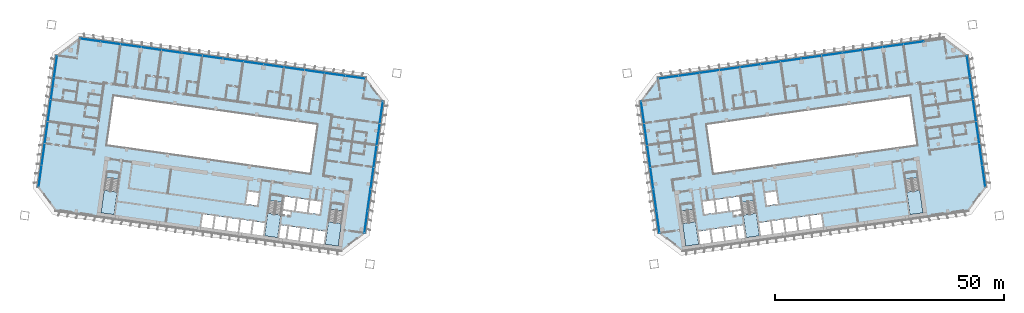
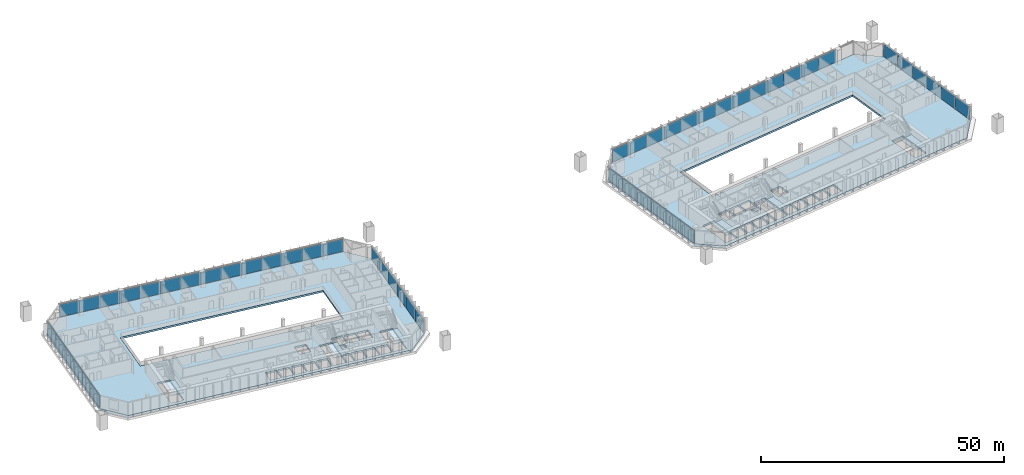
# One storey, part 12 of 25: 51 plates, 8 slabs, 12 elements without a shape of their own.
"""IFC4 building model written with IfcOpenShell, lengths in metres."""

from ifc_helpers import new_model, si_unit, direction, frame, origin, origin_2d, place, context, subcontext, project, spatial, polyline, rectangle, outline, extrude, material, layer, layer_set, type_object, element, aggregate, save


model = new_model("IFC4")

# Units and contexts
model_context = context("Model", 3, precision=1e-05, world=origin(), true_north=direction((0.0, 1.0)))
body_context = subcontext(model_context, "Body", "Model", "MODEL_VIEW")
ifc_project = project(units=[si_unit("LENGTHUNIT", "METRE"), si_unit("AREAUNIT", "SQUARE_METRE"), si_unit("VOLUMEUNIT", "CUBIC_METRE"), si_unit("PLANEANGLEUNIT", "RADIAN"), si_unit("MASSUNIT", "GRAM", prefix="KILO")], contexts=[model_context])

# Site, building, storey
site_placement = place(None, origin())
site = spatial("IfcSite", under=ifc_project, at=site_placement, CompositionType="ELEMENT")
building_placement = place(site_placement, origin())
building = spatial("IfcBuilding", under=site, at=building_placement, Name="Mirante Cascada Hotel Towers", CompositionType="ELEMENT")
storey_placement = place(building_placement, frame((0.0, 0.0, 69.9)))
storey = spatial("IfcBuildingStorey", under=building, at=storey_placement, Name="L14", CompositionType="ELEMENT", Elevation=69.9)

# Curtain wall, plates
ifc_material_1 = material(Name="Aluminium mullion and transom frame with clear laminated glass", Category="aluminium")
curtain_wall_type_1 = type_object("IfcCurtainWallType", Name="Ribbon curtain wall ECW1", PredefinedType="NOTDEFINED", material=ifc_material_1)
curtain_wall_1_placement = place(storey_placement, origin())
curtain_wall_1 = element("IfcCurtainWall", 1, at=curtain_wall_1_placement, inside=storey, type_object=curtain_wall_type_1, Name="Front ribbon wall T1 L14", PredefinedType="NOTDEFINED")
ifc_material_2 = material(Name="Clear laminated glass", Category="glass")
ifc_layer_1 = layer(ifc_material_2, 0.036)
ifc_layer_set_1 = layer_set([ifc_layer_1], Name="ECW1 glass panel 36")
plate_type_1 = type_object("IfcPlateType", Name="ECW1 glass panel 36", PredefinedType="CURTAIN_PANEL", material=ifc_layer_set_1)
plate_1_placement = place(storey_placement, frame((-91.9184, 25.7373, 0.1), z_axis=(0.0, 0.0, 1.0), x_axis=(0.9902681, -0.1391731, 0.0)))
plate_1 = element("IfcPlate", 2, at=plate_1_placement, type_object=plate_type_1, Name="ECW1 panel 1", PredefinedType="CURTAIN_PANEL", context=body_context, shape_type="SweptSolid", body=[
    extrude(rectangle(XDim=4.3936, YDim=0.036, at=origin_2d()), origin(), (0.0, 0.0, 1.0), 3.15),
])
plate_2_placement = place(storey_placement, frame((-87.487, 25.1145, 0.1), z_axis=(0.0, 0.0, 1.0), x_axis=(0.9902681, -0.1391731, 0.0)))
plate_2 = element("IfcPlate", 3, at=plate_2_placement, type_object=plate_type_1, Name="ECW1 panel 2", PredefinedType="CURTAIN_PANEL", context=body_context, shape_type="SweptSolid", body=[
    extrude(rectangle(XDim=4.4261, YDim=0.036, at=origin_2d()), origin(), (0.0, 0.0, 1.0), 3.15),
])
plate_3_placement = place(storey_placement, frame((-83.0396, 24.4895, 0.1), z_axis=(0.0, 0.0, 1.0), x_axis=(0.9902681, -0.1391731, 0.0)))
plate_3 = element("IfcPlate", 4, at=plate_3_placement, type_object=plate_type_1, Name="ECW1 panel 3", PredefinedType="CURTAIN_PANEL", context=body_context, shape_type="SweptSolid", body=[
    extrude(rectangle(XDim=4.4261, YDim=0.036, at=origin_2d()), origin(), (0.0, 0.0, 1.0), 3.15),
])
plate_4_placement = place(storey_placement, frame((-78.5922, 23.8644, 0.1), z_axis=(0.0, 0.0, 1.0), x_axis=(0.9902681, -0.1391731, 0.0)))
plate_4 = element("IfcPlate", 5, at=plate_4_placement, type_object=plate_type_1, Name="ECW1 panel 4", PredefinedType="CURTAIN_PANEL", context=body_context, shape_type="SweptSolid", body=[
    extrude(rectangle(XDim=4.4261, YDim=0.036, at=origin_2d()), origin(), (0.0, 0.0, 1.0), 3.15),
])
plate_5_placement = place(storey_placement, frame((-74.1448, 23.2394, 0.1), z_axis=(0.0, 0.0, 1.0), x_axis=(0.9902681, -0.1391731, 0.0)))
plate_5 = element("IfcPlate", 6, at=plate_5_placement, type_object=plate_type_1, Name="ECW1 panel 5", PredefinedType="CURTAIN_PANEL", context=body_context, shape_type="SweptSolid", body=[
    extrude(rectangle(XDim=4.4261, YDim=0.036, at=origin_2d()), origin(), (0.0, 0.0, 1.0), 3.15),
])
plate_6_placement = place(storey_placement, frame((-69.6974, 22.6144, 0.1), z_axis=(0.0, 0.0, 1.0), x_axis=(0.9902681, -0.1391731, 0.0)))
plate_6 = element("IfcPlate", 7, at=plate_6_placement, type_object=plate_type_1, Name="ECW1 panel 6", PredefinedType="CURTAIN_PANEL", context=body_context, shape_type="SweptSolid", body=[
    extrude(rectangle(XDim=4.4261, YDim=0.036, at=origin_2d()), origin(), (0.0, 0.0, 1.0), 3.15),
])
plate_7_placement = place(storey_placement, frame((-65.2499, 21.9893, 0.1), z_axis=(0.0, 0.0, 1.0), x_axis=(0.9902681, -0.1391731, 0.0)))
plate_7 = element("IfcPlate", 8, at=plate_7_placement, type_object=plate_type_1, Name="ECW1 panel 7", PredefinedType="CURTAIN_PANEL", context=body_context, shape_type="SweptSolid", body=[
    extrude(rectangle(XDim=4.4261, YDim=0.036, at=origin_2d()), origin(), (0.0, 0.0, 1.0), 3.15),
])
plate_8_placement = place(storey_placement, frame((-60.8025, 21.3643, 0.1), z_axis=(0.0, 0.0, 1.0), x_axis=(0.9902681, -0.1391731, 0.0)))
plate_8 = element("IfcPlate", 9, at=plate_8_placement, type_object=plate_type_1, Name="ECW1 panel 8", PredefinedType="CURTAIN_PANEL", context=body_context, shape_type="SweptSolid", body=[
    extrude(rectangle(XDim=4.4261, YDim=0.036, at=origin_2d()), origin(), (0.0, 0.0, 1.0), 3.15),
])
plate_9_placement = place(storey_placement, frame((-56.3551, 20.7392, 0.1), z_axis=(0.0, 0.0, 1.0), x_axis=(0.9902681, -0.1391731, 0.0)))
plate_9 = element("IfcPlate", 10, at=plate_9_placement, type_object=plate_type_1, Name="ECW1 panel 9", PredefinedType="CURTAIN_PANEL", context=body_context, shape_type="SweptSolid", body=[
    extrude(rectangle(XDim=4.4261, YDim=0.036, at=origin_2d()), origin(), (0.0, 0.0, 1.0), 3.15),
])
plate_10_placement = place(storey_placement, frame((-51.9077, 20.1142, 0.1), z_axis=(0.0, 0.0, 1.0), x_axis=(0.9902681, -0.1391731, 0.0)))
plate_10 = element("IfcPlate", 11, at=plate_10_placement, type_object=plate_type_1, Name="ECW1 panel 10", PredefinedType="CURTAIN_PANEL", context=body_context, shape_type="SweptSolid", body=[
    extrude(rectangle(XDim=4.4261, YDim=0.036, at=origin_2d()), origin(), (0.0, 0.0, 1.0), 3.15),
])
plate_11_placement = place(storey_placement, frame((-47.4603, 19.4891, 0.1), z_axis=(0.0, 0.0, 1.0), x_axis=(0.9902681, -0.1391731, 0.0)))
plate_11 = element("IfcPlate", 12, at=plate_11_placement, type_object=plate_type_1, Name="ECW1 panel 11", PredefinedType="CURTAIN_PANEL", context=body_context, shape_type="SweptSolid", body=[
    extrude(rectangle(XDim=4.4261, YDim=0.036, at=origin_2d()), origin(), (0.0, 0.0, 1.0), 3.15),
])
plate_12_placement = place(storey_placement, frame((-43.0129, 18.8641, 0.1), z_axis=(0.0, 0.0, 1.0), x_axis=(0.9902681, -0.1391731, 0.0)))
plate_12 = element("IfcPlate", 13, at=plate_12_placement, type_object=plate_type_1, Name="ECW1 panel 12", PredefinedType="CURTAIN_PANEL", context=body_context, shape_type="SweptSolid", body=[
    extrude(rectangle(XDim=4.4261, YDim=0.036, at=origin_2d()), origin(), (0.0, 0.0, 1.0), 3.15),
])
plate_13_placement = place(storey_placement, frame((-38.5654, 18.239, 0.1), z_axis=(0.0, 0.0, 1.0), x_axis=(0.9902681, -0.1391731, 0.0)))
plate_13 = element("IfcPlate", 14, at=plate_13_placement, type_object=plate_type_1, Name="ECW1 panel 13", PredefinedType="CURTAIN_PANEL", context=body_context, shape_type="SweptSolid", body=[
    extrude(rectangle(XDim=4.4261, YDim=0.036, at=origin_2d()), origin(), (0.0, 0.0, 1.0), 3.15),
])
plate_14_placement = place(storey_placement, frame((-34.1341, 17.6163, 0.1), z_axis=(0.0, 0.0, 1.0), x_axis=(0.9902681, -0.1391731, 0.0)))
plate_14 = element("IfcPlate", 15, at=plate_14_placement, type_object=plate_type_1, Name="ECW1 panel 14", PredefinedType="CURTAIN_PANEL", context=body_context, shape_type="SweptSolid", body=[
    extrude(rectangle(XDim=4.3936, YDim=0.036, at=origin_2d()), origin(), (0.0, 0.0, 1.0), 3.15),
])
aggregate(curtain_wall_1, [plate_1, plate_2, plate_3, plate_4, plate_5, plate_6, plate_7, plate_8, plate_9, plate_10, plate_11, plate_12, plate_13, plate_14])

curtain_wall_2_placement = place(storey_placement, origin())
curtain_wall_2 = element("IfcCurtainWall", 16, at=curtain_wall_2_placement, inside=storey, type_object=curtain_wall_type_1, Name="Front ribbon wall T2 L14", PredefinedType="NOTDEFINED")
plate_15_placement = place(storey_placement, frame((87.487, 25.1145, 0.1), z_axis=(0.0, 0.0, 1.0), x_axis=(-0.9902681, -0.1391731, 0.0)))
plate_15 = element("IfcPlate", 17, at=plate_15_placement, type_object=plate_type_1, Name="ECW1 panel 2", PredefinedType="CURTAIN_PANEL", context=body_context, shape_type="SweptSolid", body=[
    extrude(rectangle(XDim=4.4261, YDim=0.036, at=origin_2d()), origin(), (0.0, 0.0, 1.0), 3.15),
])
plate_16_placement = place(storey_placement, frame((83.0396, 24.4895, 0.1), z_axis=(0.0, 0.0, 1.0), x_axis=(-0.9902681, -0.1391731, 0.0)))
plate_16 = element("IfcPlate", 18, at=plate_16_placement, type_object=plate_type_1, Name="ECW1 panel 3", PredefinedType="CURTAIN_PANEL", context=body_context, shape_type="SweptSolid", body=[
    extrude(rectangle(XDim=4.4261, YDim=0.036, at=origin_2d()), origin(), (0.0, 0.0, 1.0), 3.15),
])
plate_17_placement = place(storey_placement, frame((78.5922, 23.8644, 0.1), z_axis=(0.0, 0.0, 1.0), x_axis=(-0.9902681, -0.1391731, 0.0)))
plate_17 = element("IfcPlate", 19, at=plate_17_placement, type_object=plate_type_1, Name="ECW1 panel 4", PredefinedType="CURTAIN_PANEL", context=body_context, shape_type="SweptSolid", body=[
    extrude(rectangle(XDim=4.4261, YDim=0.036, at=origin_2d()), origin(), (0.0, 0.0, 1.0), 3.15),
])
plate_18_placement = place(storey_placement, frame((74.1448, 23.2394, 0.1), z_axis=(0.0, 0.0, 1.0), x_axis=(-0.9902681, -0.1391731, 0.0)))
plate_18 = element("IfcPlate", 20, at=plate_18_placement, type_object=plate_type_1, Name="ECW1 panel 5", PredefinedType="CURTAIN_PANEL", context=body_context, shape_type="SweptSolid", body=[
    extrude(rectangle(XDim=4.4261, YDim=0.036, at=origin_2d()), origin(), (0.0, 0.0, 1.0), 3.15),
])
plate_19_placement = place(storey_placement, frame((69.6974, 22.6144, 0.1), z_axis=(0.0, 0.0, 1.0), x_axis=(-0.9902681, -0.1391731, 0.0)))
plate_19 = element("IfcPlate", 21, at=plate_19_placement, type_object=plate_type_1, Name="ECW1 panel 6", PredefinedType="CURTAIN_PANEL", context=body_context, shape_type="SweptSolid", body=[
    extrude(rectangle(XDim=4.4261, YDim=0.036, at=origin_2d()), origin(), (0.0, 0.0, 1.0), 3.15),
])
plate_20_placement = place(storey_placement, frame((65.2499, 21.9893, 0.1), z_axis=(0.0, 0.0, 1.0), x_axis=(-0.9902681, -0.1391731, 0.0)))
plate_20 = element("IfcPlate", 22, at=plate_20_placement, type_object=plate_type_1, Name="ECW1 panel 7", PredefinedType="CURTAIN_PANEL", context=body_context, shape_type="SweptSolid", body=[
    extrude(rectangle(XDim=4.4261, YDim=0.036, at=origin_2d()), origin(), (0.0, 0.0, 1.0), 3.15),
])
plate_21_placement = place(storey_placement, frame((60.8025, 21.3643, 0.1), z_axis=(0.0, 0.0, 1.0), x_axis=(-0.9902681, -0.1391731, 0.0)))
plate_21 = element("IfcPlate", 23, at=plate_21_placement, type_object=plate_type_1, Name="ECW1 panel 8", PredefinedType="CURTAIN_PANEL", context=body_context, shape_type="SweptSolid", body=[
    extrude(rectangle(XDim=4.4261, YDim=0.036, at=origin_2d()), origin(), (0.0, 0.0, 1.0), 3.15),
])
plate_22_placement = place(storey_placement, frame((56.3551, 20.7392, 0.1), z_axis=(0.0, 0.0, 1.0), x_axis=(-0.9902681, -0.1391731, 0.0)))
plate_22 = element("IfcPlate", 24, at=plate_22_placement, type_object=plate_type_1, Name="ECW1 panel 9", PredefinedType="CURTAIN_PANEL", context=body_context, shape_type="SweptSolid", body=[
    extrude(rectangle(XDim=4.4261, YDim=0.036, at=origin_2d()), origin(), (0.0, 0.0, 1.0), 3.15),
])
plate_23_placement = place(storey_placement, frame((51.9077, 20.1142, 0.1), z_axis=(0.0, 0.0, 1.0), x_axis=(-0.9902681, -0.1391731, 0.0)))
plate_23 = element("IfcPlate", 25, at=plate_23_placement, type_object=plate_type_1, Name="ECW1 panel 10", PredefinedType="CURTAIN_PANEL", context=body_context, shape_type="SweptSolid", body=[
    extrude(rectangle(XDim=4.4261, YDim=0.036, at=origin_2d()), origin(), (0.0, 0.0, 1.0), 3.15),
])
plate_24_placement = place(storey_placement, frame((47.4603, 19.4891, 0.1), z_axis=(0.0, 0.0, 1.0), x_axis=(-0.9902681, -0.1391731, 0.0)))
plate_24 = element("IfcPlate", 26, at=plate_24_placement, type_object=plate_type_1, Name="ECW1 panel 11", PredefinedType="CURTAIN_PANEL", context=body_context, shape_type="SweptSolid", body=[
    extrude(rectangle(XDim=4.4261, YDim=0.036, at=origin_2d()), origin(), (0.0, 0.0, 1.0), 3.15),
])
plate_25_placement = place(storey_placement, frame((43.0129, 18.8641, 0.1), z_axis=(0.0, 0.0, 1.0), x_axis=(-0.9902681, -0.1391731, 0.0)))
plate_25 = element("IfcPlate", 27, at=plate_25_placement, type_object=plate_type_1, Name="ECW1 panel 12", PredefinedType="CURTAIN_PANEL", context=body_context, shape_type="SweptSolid", body=[
    extrude(rectangle(XDim=4.4261, YDim=0.036, at=origin_2d()), origin(), (0.0, 0.0, 1.0), 3.15),
])
plate_26_placement = place(storey_placement, frame((38.5654, 18.239, 0.1), z_axis=(0.0, 0.0, 1.0), x_axis=(-0.9902681, -0.1391731, 0.0)))
plate_26 = element("IfcPlate", 28, at=plate_26_placement, type_object=plate_type_1, Name="ECW1 panel 13", PredefinedType="CURTAIN_PANEL", context=body_context, shape_type="SweptSolid", body=[
    extrude(rectangle(XDim=4.4261, YDim=0.036, at=origin_2d()), origin(), (0.0, 0.0, 1.0), 3.15),
])
plate_27_placement = place(storey_placement, frame((34.1341, 17.6163, 0.1), z_axis=(0.0, 0.0, 1.0), x_axis=(-0.9902681, -0.1391731, 0.0)))
plate_27 = element("IfcPlate", 29, at=plate_27_placement, type_object=plate_type_1, Name="ECW1 panel 14", PredefinedType="CURTAIN_PANEL", context=body_context, shape_type="SweptSolid", body=[
    extrude(rectangle(XDim=4.3936, YDim=0.036, at=origin_2d()), origin(), (0.0, 0.0, 1.0), 3.15),
])
aggregate(curtain_wall_2, [plate_15, plate_16, plate_17, plate_18, plate_19, plate_20, plate_21, plate_22, plate_23, plate_24, plate_25, plate_26, plate_27])

ifc_material_3 = material(Name="Aluminium mullion and transom frame with clear laminated glass", Category="aluminium")
curtain_wall_type_2 = type_object("IfcCurtainWallType", Name="End ribbon curtain wall ECW2", PredefinedType="NOTDEFINED", material=ifc_material_3)
curtain_wall_3_placement = place(storey_placement, origin())
curtain_wall_3 = element("IfcCurtainWall", 30, at=curtain_wall_3_placement, inside=storey, type_object=curtain_wall_type_2, Name="Inner end wall T1 L14", PredefinedType="NOTDEFINED")
ifc_material_4 = material(Name="Clear laminated glass", Category="glass")
ifc_layer_2 = layer(ifc_material_4, 0.034)
ifc_layer_set_2 = layer_set([ifc_layer_2], Name="ECW2 glass panel 34")
plate_type_2 = type_object("IfcPlateType", Name="ECW2 glass panel 34", PredefinedType="CURTAIN_PANEL", material=ifc_layer_set_2)
plate_28_placement = place(storey_placement, frame((-28.4763, 9.9193, 0.1), z_axis=(0.0, 0.0, 1.0), x_axis=(-0.1391731, -0.9902681, 0.0)))
plate_28 = element("IfcPlate", 31, at=plate_28_placement, type_object=plate_type_2, Name="ECW2 panel 1", PredefinedType="CURTAIN_PANEL", context=body_context, shape_type="SweptSolid", body=[
    extrude(rectangle(XDim=4.7151, YDim=0.034, at=origin_2d()), origin(), (0.0, 0.0, 1.0), 3.15),
])
plate_29_placement = place(storey_placement, frame((-29.1439, 5.1696, 0.1), z_axis=(0.0, 0.0, 1.0), x_axis=(-0.1391731, -0.9902681, 0.0)))
plate_29 = element("IfcPlate", 32, at=plate_29_placement, type_object=plate_type_2, Name="ECW2 panel 2", PredefinedType="CURTAIN_PANEL", context=body_context, shape_type="SweptSolid", body=[
    extrude(rectangle(XDim=4.7476, YDim=0.034, at=origin_2d()), origin(), (0.0, 0.0, 1.0), 3.15),
])
plate_30_placement = place(storey_placement, frame((-29.8136, 0.4038, 0.1), z_axis=(0.0, 0.0, 1.0), x_axis=(-0.1391731, -0.9902681, 0.0)))
plate_30 = element("IfcPlate", 33, at=plate_30_placement, type_object=plate_type_2, Name="ECW2 panel 3", PredefinedType="CURTAIN_PANEL", context=body_context, shape_type="SweptSolid", body=[
    extrude(rectangle(XDim=4.7476, YDim=0.034, at=origin_2d()), origin(), (0.0, 0.0, 1.0), 3.15),
])
plate_31_placement = place(storey_placement, frame((-30.4834, -4.362, 0.1), z_axis=(0.0, 0.0, 1.0), x_axis=(-0.1391731, -0.9902681, 0.0)))
plate_31 = element("IfcPlate", 34, at=plate_31_placement, type_object=plate_type_2, Name="ECW2 panel 4", PredefinedType="CURTAIN_PANEL", context=body_context, shape_type="SweptSolid", body=[
    extrude(rectangle(XDim=4.7476, YDim=0.034, at=origin_2d()), origin(), (0.0, 0.0, 1.0), 3.15),
])
plate_32_placement = place(storey_placement, frame((-31.1532, -9.1278, 0.1), z_axis=(0.0, 0.0, 1.0), x_axis=(-0.1391731, -0.9902681, 0.0)))
plate_32 = element("IfcPlate", 35, at=plate_32_placement, type_object=plate_type_2, Name="ECW2 panel 5", PredefinedType="CURTAIN_PANEL", context=body_context, shape_type="SweptSolid", body=[
    extrude(rectangle(XDim=4.7476, YDim=0.034, at=origin_2d()), origin(), (0.0, 0.0, 1.0), 3.15),
])
plate_33_placement = place(storey_placement, frame((-31.8207, -13.8775, 0.1), z_axis=(0.0, 0.0, 1.0), x_axis=(-0.1391731, -0.9902681, 0.0)))
plate_33 = element("IfcPlate", 36, at=plate_33_placement, type_object=plate_type_2, Name="ECW2 panel 6", PredefinedType="CURTAIN_PANEL", context=body_context, shape_type="SweptSolid", body=[
    extrude(rectangle(XDim=4.7151, YDim=0.034, at=origin_2d()), origin(), (0.0, 0.0, 1.0), 3.15),
])
aggregate(curtain_wall_3, [plate_28, plate_29, plate_30, plate_31, plate_32, plate_33])

curtain_wall_4_placement = place(storey_placement, origin())
curtain_wall_4 = element("IfcCurtainWall", 37, at=curtain_wall_4_placement, inside=storey, type_object=curtain_wall_type_2, Name="Outer end wall T1 L14", PredefinedType="NOTDEFINED")
plate_34_placement = place(storey_placement, frame((-102.823, -3.8988, 0.1), z_axis=(0.0, 0.0, 1.0), x_axis=(0.1391731, 0.9902681, 0.0)))
plate_34 = element("IfcPlate", 38, at=plate_34_placement, type_object=plate_type_2, Name="ECW2 panel 1", PredefinedType="CURTAIN_PANEL", context=body_context, shape_type="SweptSolid", body=[
    extrude(rectangle(XDim=4.7151, YDim=0.034, at=origin_2d()), origin(), (0.0, 0.0, 1.0), 3.15),
])
plate_35_placement = place(storey_placement, frame((-102.1554, 0.8509, 0.1), z_axis=(0.0, 0.0, 1.0), x_axis=(0.1391731, 0.9902681, 0.0)))
plate_35 = element("IfcPlate", 39, at=plate_35_placement, type_object=plate_type_2, Name="ECW2 panel 2", PredefinedType="CURTAIN_PANEL", context=body_context, shape_type="SweptSolid", body=[
    extrude(rectangle(XDim=4.7476, YDim=0.034, at=origin_2d()), origin(), (0.0, 0.0, 1.0), 3.15),
])
plate_36_placement = place(storey_placement, frame((-101.4857, 5.6167, 0.1), z_axis=(0.0, 0.0, 1.0), x_axis=(0.1391731, 0.9902681, 0.0)))
plate_36 = element("IfcPlate", 40, at=plate_36_placement, type_object=plate_type_2, Name="ECW2 panel 3", PredefinedType="CURTAIN_PANEL", context=body_context, shape_type="SweptSolid", body=[
    extrude(rectangle(XDim=4.7476, YDim=0.034, at=origin_2d()), origin(), (0.0, 0.0, 1.0), 3.15),
])
plate_37_placement = place(storey_placement, frame((-100.8159, 10.3825, 0.1), z_axis=(0.0, 0.0, 1.0), x_axis=(0.1391731, 0.9902681, 0.0)))
plate_37 = element("IfcPlate", 41, at=plate_37_placement, type_object=plate_type_2, Name="ECW2 panel 4", PredefinedType="CURTAIN_PANEL", context=body_context, shape_type="SweptSolid", body=[
    extrude(rectangle(XDim=4.7476, YDim=0.034, at=origin_2d()), origin(), (0.0, 0.0, 1.0), 3.15),
])
plate_38_placement = place(storey_placement, frame((-100.1461, 15.1483, 0.1), z_axis=(0.0, 0.0, 1.0), x_axis=(0.1391731, 0.9902681, 0.0)))
plate_38 = element("IfcPlate", 42, at=plate_38_placement, type_object=plate_type_2, Name="ECW2 panel 5", PredefinedType="CURTAIN_PANEL", context=body_context, shape_type="SweptSolid", body=[
    extrude(rectangle(XDim=4.7476, YDim=0.034, at=origin_2d()), origin(), (0.0, 0.0, 1.0), 3.15),
])
plate_39_placement = place(storey_placement, frame((-99.4786, 19.898, 0.1), z_axis=(0.0, 0.0, 1.0), x_axis=(0.1391731, 0.9902681, 0.0)))
plate_39 = element("IfcPlate", 43, at=plate_39_placement, type_object=plate_type_2, Name="ECW2 panel 6", PredefinedType="CURTAIN_PANEL", context=body_context, shape_type="SweptSolid", body=[
    extrude(rectangle(XDim=4.7151, YDim=0.034, at=origin_2d()), origin(), (0.0, 0.0, 1.0), 3.15),
])
aggregate(curtain_wall_4, [plate_34, plate_35, plate_36, plate_37, plate_38, plate_39])

curtain_wall_5_placement = place(storey_placement, origin())
curtain_wall_5 = element("IfcCurtainWall", 44, at=curtain_wall_5_placement, inside=storey, type_object=curtain_wall_type_2, Name="Inner end wall T2 L14", PredefinedType="NOTDEFINED")
plate_40_placement = place(storey_placement, frame((28.4763, 9.9193, 0.1), z_axis=(0.0, 0.0, 1.0), x_axis=(0.1391731, -0.9902681, 0.0)))
plate_40 = element("IfcPlate", 45, at=plate_40_placement, type_object=plate_type_2, Name="ECW2 panel 1", PredefinedType="CURTAIN_PANEL", context=body_context, shape_type="SweptSolid", body=[
    extrude(rectangle(XDim=4.7151, YDim=0.034, at=origin_2d()), origin(), (0.0, 0.0, 1.0), 3.15),
])
plate_41_placement = place(storey_placement, frame((29.1439, 5.1696, 0.1), z_axis=(0.0, 0.0, 1.0), x_axis=(0.1391731, -0.9902681, 0.0)))
plate_41 = element("IfcPlate", 46, at=plate_41_placement, type_object=plate_type_2, Name="ECW2 panel 2", PredefinedType="CURTAIN_PANEL", context=body_context, shape_type="SweptSolid", body=[
    extrude(rectangle(XDim=4.7476, YDim=0.034, at=origin_2d()), origin(), (0.0, 0.0, 1.0), 3.15),
])
plate_42_placement = place(storey_placement, frame((29.8136, 0.4038, 0.1), z_axis=(0.0, 0.0, 1.0), x_axis=(0.1391731, -0.9902681, 0.0)))
plate_42 = element("IfcPlate", 47, at=plate_42_placement, type_object=plate_type_2, Name="ECW2 panel 3", PredefinedType="CURTAIN_PANEL", context=body_context, shape_type="SweptSolid", body=[
    extrude(rectangle(XDim=4.7476, YDim=0.034, at=origin_2d()), origin(), (0.0, 0.0, 1.0), 3.15),
])
plate_43_placement = place(storey_placement, frame((30.4834, -4.362, 0.1), z_axis=(0.0, 0.0, 1.0), x_axis=(0.1391731, -0.9902681, 0.0)))
plate_43 = element("IfcPlate", 48, at=plate_43_placement, type_object=plate_type_2, Name="ECW2 panel 4", PredefinedType="CURTAIN_PANEL", context=body_context, shape_type="SweptSolid", body=[
    extrude(rectangle(XDim=4.7476, YDim=0.034, at=origin_2d()), origin(), (0.0, 0.0, 1.0), 3.15),
])
plate_44_placement = place(storey_placement, frame((31.1532, -9.1278, 0.1), z_axis=(0.0, 0.0, 1.0), x_axis=(0.1391731, -0.9902681, 0.0)))
plate_44 = element("IfcPlate", 49, at=plate_44_placement, type_object=plate_type_2, Name="ECW2 panel 5", PredefinedType="CURTAIN_PANEL", context=body_context, shape_type="SweptSolid", body=[
    extrude(rectangle(XDim=4.7476, YDim=0.034, at=origin_2d()), origin(), (0.0, 0.0, 1.0), 3.15),
])
plate_45_placement = place(storey_placement, frame((31.8207, -13.8775, 0.1), z_axis=(0.0, 0.0, 1.0), x_axis=(0.1391731, -0.9902681, 0.0)))
plate_45 = element("IfcPlate", 50, at=plate_45_placement, type_object=plate_type_2, Name="ECW2 panel 6", PredefinedType="CURTAIN_PANEL", context=body_context, shape_type="SweptSolid", body=[
    extrude(rectangle(XDim=4.7151, YDim=0.034, at=origin_2d()), origin(), (0.0, 0.0, 1.0), 3.15),
])
aggregate(curtain_wall_5, [plate_40, plate_41, plate_42, plate_43, plate_44, plate_45])

curtain_wall_6_placement = place(storey_placement, origin())
curtain_wall_6 = element("IfcCurtainWall", 51, at=curtain_wall_6_placement, inside=storey, type_object=curtain_wall_type_2, Name="Outer end wall T2 L14", PredefinedType="NOTDEFINED")
plate_46_placement = place(storey_placement, frame((102.823, -3.8988, 0.1), z_axis=(0.0, 0.0, 1.0), x_axis=(-0.1391731, 0.9902681, 0.0)))
plate_46 = element("IfcPlate", 52, at=plate_46_placement, type_object=plate_type_2, Name="ECW2 panel 1", PredefinedType="CURTAIN_PANEL", context=body_context, shape_type="SweptSolid", body=[
    extrude(rectangle(XDim=4.7151, YDim=0.034, at=origin_2d()), origin(), (0.0, 0.0, 1.0), 3.15),
])
plate_47_placement = place(storey_placement, frame((102.1554, 0.8509, 0.1), z_axis=(0.0, 0.0, 1.0), x_axis=(-0.1391731, 0.9902681, 0.0)))
plate_47 = element("IfcPlate", 53, at=plate_47_placement, type_object=plate_type_2, Name="ECW2 panel 2", PredefinedType="CURTAIN_PANEL", context=body_context, shape_type="SweptSolid", body=[
    extrude(rectangle(XDim=4.7476, YDim=0.034, at=origin_2d()), origin(), (0.0, 0.0, 1.0), 3.15),
])
plate_48_placement = place(storey_placement, frame((101.4857, 5.6167, 0.1), z_axis=(0.0, 0.0, 1.0), x_axis=(-0.1391731, 0.9902681, 0.0)))
plate_48 = element("IfcPlate", 54, at=plate_48_placement, type_object=plate_type_2, Name="ECW2 panel 3", PredefinedType="CURTAIN_PANEL", context=body_context, shape_type="SweptSolid", body=[
    extrude(rectangle(XDim=4.7476, YDim=0.034, at=origin_2d()), origin(), (0.0, 0.0, 1.0), 3.15),
])
plate_49_placement = place(storey_placement, frame((100.8159, 10.3825, 0.1), z_axis=(0.0, 0.0, 1.0), x_axis=(-0.1391731, 0.9902681, 0.0)))
plate_49 = element("IfcPlate", 55, at=plate_49_placement, type_object=plate_type_2, Name="ECW2 panel 4", PredefinedType="CURTAIN_PANEL", context=body_context, shape_type="SweptSolid", body=[
    extrude(rectangle(XDim=4.7476, YDim=0.034, at=origin_2d()), origin(), (0.0, 0.0, 1.0), 3.15),
])
plate_50_placement = place(storey_placement, frame((100.1461, 15.1483, 0.1), z_axis=(0.0, 0.0, 1.0), x_axis=(-0.1391731, 0.9902681, 0.0)))
plate_50 = element("IfcPlate", 56, at=plate_50_placement, type_object=plate_type_2, Name="ECW2 panel 5", PredefinedType="CURTAIN_PANEL", context=body_context, shape_type="SweptSolid", body=[
    extrude(rectangle(XDim=4.7476, YDim=0.034, at=origin_2d()), origin(), (0.0, 0.0, 1.0), 3.15),
])
plate_51_placement = place(storey_placement, frame((99.4786, 19.898, 0.1), z_axis=(0.0, 0.0, 1.0), x_axis=(-0.1391731, 0.9902681, 0.0)))
plate_51 = element("IfcPlate", 57, at=plate_51_placement, type_object=plate_type_2, Name="ECW2 panel 6", PredefinedType="CURTAIN_PANEL", context=body_context, shape_type="SweptSolid", body=[
    extrude(rectangle(XDim=4.7151, YDim=0.034, at=origin_2d()), origin(), (0.0, 0.0, 1.0), 3.15),
])
aggregate(curtain_wall_6, [plate_46, plate_47, plate_48, plate_49, plate_50, plate_51])

# Stair, slab
ifc_material_5 = material(Name="Concrete C35/45", Category="concrete")
stair_type = type_object("IfcStairType", Name="Exit stair half-turn 1350 concrete C35/45", PredefinedType="HALF_TURN_STAIR", material=ifc_material_5)
stair_1_placement = place(storey_placement, origin())
stair_1 = element("IfcStair", 58, at=stair_1_placement, inside=storey, type_object=stair_type, Name="L14 Exit stair A", PredefinedType="HALF_TURN_STAIR")
ifc_material_6 = material(Name="Concrete C35/45", Category="concrete")
ifc_layer_3 = layer(ifc_material_6, 0.2)
ifc_layer_set_3 = layer_set([ifc_layer_3], Name="Exit stair landing 200 concrete C35/45")
slab_type_1 = type_object("IfcSlabType", Name="Exit stair landing 200 concrete C35/45", PredefinedType="LANDING", material=ifc_layer_set_3)
slab_1_placement = place(storey_placement, frame((0.0, 0.0, 1.7)))
slab_1 = element("IfcSlab", 59, at=slab_1_placement, type_object=slab_type_1, Name="ST1-A landing 1", PredefinedType="LANDING", context=body_context, shape_type="SweptSolid", body=[
    extrude(outline(polyline([(-39.9987, -13.8659), (-40.6887, -18.7757), (-37.8665, -19.1723), (-37.1765, -14.2626), (-39.9987, -13.8659)])), origin(), (0.0, 0.0, 1.0), 0.2),
])
aggregate(stair_1, [slab_1])

stair_2_placement = place(storey_placement, origin())
stair_2 = element("IfcStair", 60, at=stair_2_placement, inside=storey, type_object=stair_type, Name="L14 Exit stair B", PredefinedType="HALF_TURN_STAIR")
slab_2_placement = place(storey_placement, frame((0.0, 0.0, 1.7)))
slab_2 = element("IfcSlab", 61, at=slab_2_placement, type_object=slab_type_1, Name="ST1-B landing 1", PredefinedType="LANDING", context=body_context, shape_type="SweptSolid", body=[
    extrude(outline(polyline([(-53.2188, -12.008), (-53.9088, -16.9177), (-51.0866, -17.3144), (-50.3965, -12.4046), (-53.2188, -12.008)])), origin(), (0.0, 0.0, 1.0), 0.2),
])
aggregate(stair_2, [slab_2])

stair_3_placement = place(storey_placement, origin())
stair_3 = element("IfcStair", 62, at=stair_3_placement, inside=storey, type_object=stair_type, Name="L14 Exit stair C", PredefinedType="HALF_TURN_STAIR")
slab_3_placement = place(storey_placement, frame((0.0, 0.0, 1.7)))
slab_3 = element("IfcSlab", 63, at=slab_3_placement, type_object=slab_type_1, Name="ST1-C landing 1", PredefinedType="LANDING", context=body_context, shape_type="SweptSolid", body=[
    extrude(outline(polyline([(-88.8685, -6.9977), (-89.5585, -11.9075), (-86.7362, -12.3041), (-86.0462, -7.3944), (-88.8685, -6.9977)])), origin(), (0.0, 0.0, 1.0), 0.2),
])
aggregate(stair_3, [slab_3])

stair_4_placement = place(storey_placement, origin())
stair_4 = element("IfcStair", 64, at=stair_4_placement, inside=storey, type_object=stair_type, Name="L14 Exit stair A", PredefinedType="HALF_TURN_STAIR")
slab_4_placement = place(storey_placement, frame((0.0, 0.0, 1.7)))
slab_4 = element("IfcSlab", 65, at=slab_4_placement, type_object=slab_type_1, Name="ST2-A landing 1", PredefinedType="LANDING", context=body_context, shape_type="SweptSolid", body=[
    extrude(outline(polyline([(37.1765, -14.2626), (37.8665, -19.1723), (40.6887, -18.7757), (39.9987, -13.8659), (37.1765, -14.2626)])), origin(), (0.0, 0.0, 1.0), 0.2),
])
aggregate(stair_4, [slab_4])

stair_5_placement = place(storey_placement, origin())
stair_5 = element("IfcStair", 66, at=stair_5_placement, inside=storey, type_object=stair_type, Name="L14 Exit stair B", PredefinedType="HALF_TURN_STAIR")
slab_5_placement = place(storey_placement, frame((0.0, 0.0, 1.7)))
slab_5 = element("IfcSlab", 67, at=slab_5_placement, type_object=slab_type_1, Name="ST2-B landing 1", PredefinedType="LANDING", context=body_context, shape_type="SweptSolid", body=[
    extrude(outline(polyline([(50.3965, -12.4046), (51.0866, -17.3144), (53.9088, -16.9177), (53.2188, -12.008), (50.3965, -12.4046)])), origin(), (0.0, 0.0, 1.0), 0.2),
])
aggregate(stair_5, [slab_5])

stair_6_placement = place(storey_placement, origin())
stair_6 = element("IfcStair", 68, at=stair_6_placement, inside=storey, type_object=stair_type, Name="L14 Exit stair C", PredefinedType="HALF_TURN_STAIR")
slab_6_placement = place(storey_placement, frame((0.0, 0.0, 1.7)))
slab_6 = element("IfcSlab", 69, at=slab_6_placement, type_object=slab_type_1, Name="ST2-C landing 1", PredefinedType="LANDING", context=body_context, shape_type="SweptSolid", body=[
    extrude(outline(polyline([(86.0462, -7.3944), (86.7362, -12.3041), (89.5585, -11.9075), (88.8685, -6.9977), (86.0462, -7.3944)])), origin(), (0.0, 0.0, 1.0), 0.2),
])
aggregate(stair_6, [slab_6])

# Slabs
ifc_material_7 = material(Name="Concrete C40/50", Category="concrete")
ifc_layer_4 = layer(ifc_material_7, 0.45)
ifc_layer_set_4 = layer_set([ifc_layer_4], Name="Post-tensioned flat plate 450 Concrete C40/50")
slab_type_2 = type_object("IfcSlabType", Name="Post-tensioned flat plate 450 Concrete C40/50", PredefinedType="FLOOR", material=ifc_layer_set_4)
slab_7_placement = place(storey_placement, frame((0.0, 0.0, -0.45)))
element("IfcSlab", 70, at=slab_7_placement, inside=storey, type_object=slab_type_2, Name="Floor T1 L14", PredefinedType="FLOOR", context=body_context, shape_type="SweptSolid", body=[
    extrude(outline(polyline([(-32.018, -16.3589), (-27.982, 12.3589), (-31.8119, 17.4414), (-94.1988, 26.2093), (-99.2813, 22.3794), (-103.3173, -6.3384), (-99.4874, -11.4209), (-37.1005, -20.1888), (-32.018, -16.3589)]), holes=[polyline([(-43.0718, -15.6132), (-40.5961, -15.9612), (-40.9858, -18.7339), (-43.4615, -18.386), (-43.0718, -15.6132)]), polyline([(-45.8446, -15.2236), (-43.3689, -15.5715), (-43.7586, -18.3442), (-46.2342, -17.9963), (-45.8446, -15.2236)]), polyline([(-48.6173, -14.8339), (-46.1416, -15.1818), (-46.5313, -17.9546), (-49.007, -17.6066), (-48.6173, -14.8339)]), polyline([(-50.3998, -14.5834), (-48.9144, -14.7921), (-49.3041, -17.5649), (-50.7895, -17.3561), (-50.3998, -14.5834)]), polyline([(-36.7887, -11.5037), (-37.8665, -19.1723), (-40.6887, -18.7757), (-39.611, -11.107), (-36.7887, -11.5037)]), polyline([(-49.9544, -11.4145), (-48.1472, -11.6685), (-48.2829, -12.634), (-50.0901, -12.38), (-49.9544, -11.4145)]), polyline([(-43.9775, -9.124), (-41.5018, -9.472), (-41.8915, -12.2447), (-44.3672, -11.8968), (-43.9775, -9.124)]), polyline([(-47.1399, -11.5071), (-46.7503, -8.7344), (-44.2746, -9.0823), (-44.6643, -11.855), (-47.1399, -11.5071)]), polyline([(-49.9127, -11.1174), (-49.523, -8.3447), (-47.0473, -8.6926), (-47.437, -11.4654), (-49.9127, -11.1174)]), polyline([(-56.2919, -13.7553), (-53.8162, -14.1032), (-54.2059, -16.876), (-56.6816, -16.528), (-56.2919, -13.7553)]), polyline([(-59.0646, -13.3656), (-56.589, -13.7135), (-56.9787, -16.4863), (-59.4543, -16.1383), (-59.0646, -13.3656)]), polyline([(-61.8374, -12.9759), (-59.3617, -13.3238), (-59.7514, -16.0966), (-62.2271, -15.7487), (-61.8374, -12.9759)]), polyline([(-64.6101, -12.5862), (-62.1345, -12.9342), (-62.5242, -15.7069), (-64.9998, -15.359), (-64.6101, -12.5862)]), polyline([(-67.3829, -12.1965), (-64.9072, -12.5445), (-65.2969, -15.3172), (-67.7726, -14.9693), (-67.3829, -12.1965)]), polyline([(-50.0088, -9.6457), (-51.0866, -17.3144), (-53.9088, -16.9177), (-52.8311, -9.2491), (-50.0088, -9.6457)]), polyline([(-85.6585, -4.6355), (-86.7362, -12.3041), (-89.5585, -11.9075), (-88.4807, -4.2388), (-85.6585, -4.6355)]), polyline([(-57.9834, -9.9832), (-57.5937, -7.2104), (-55.118, -7.5583), (-55.5077, -10.3311), (-57.9834, -9.9832)]), polyline([(-88.4039, 2.7747), (-86.873, 13.6677), (-42.3109, 7.4049), (-43.8418, -3.4881), (-88.4039, 2.7747)])]), origin(), (0.0, 0.0, 1.0), 0.45),
])
slab_8_placement = place(storey_placement, frame((0.0, 0.0, -0.45)))
element("IfcSlab", 71, at=slab_8_placement, inside=storey, type_object=slab_type_2, Name="Floor T2 L14", PredefinedType="FLOOR", context=body_context, shape_type="SweptSolid", body=[
    extrude(outline(polyline([(32.018, -16.3589), (27.982, 12.3589), (31.8119, 17.4414), (94.1988, 26.2093), (99.2813, 22.3794), (103.3173, -6.3384), (99.4874, -11.4209), (37.1005, -20.1888), (32.018, -16.3589)]), holes=[polyline([(43.0718, -15.6132), (40.5961, -15.9612), (40.9858, -18.7339), (43.4615, -18.386), (43.0718, -15.6132)]), polyline([(45.8446, -15.2236), (43.3689, -15.5715), (43.7586, -18.3442), (46.2342, -17.9963), (45.8446, -15.2236)]), polyline([(48.6173, -14.8339), (46.1416, -15.1818), (46.5313, -17.9546), (49.007, -17.6066), (48.6173, -14.8339)]), polyline([(50.3998, -14.5834), (48.9144, -14.7921), (49.3041, -17.5649), (50.7895, -17.3561), (50.3998, -14.5834)]), polyline([(37.8665, -19.1723), (40.6887, -18.7757), (39.611, -11.107), (36.7887, -11.5037), (37.8665, -19.1723)]), polyline([(49.9544, -11.4145), (48.1472, -11.6685), (48.2829, -12.634), (50.0901, -12.38), (49.9544, -11.4145)]), polyline([(43.9775, -9.124), (41.5018, -9.472), (41.8915, -12.2447), (44.3672, -11.8968), (43.9775, -9.124)]), polyline([(47.1399, -11.5071), (46.7503, -8.7344), (44.2746, -9.0823), (44.6643, -11.855), (47.1399, -11.5071)]), polyline([(49.9127, -11.1174), (49.523, -8.3447), (47.0473, -8.6926), (47.437, -11.4654), (49.9127, -11.1174)]), polyline([(56.2919, -13.7553), (53.8162, -14.1032), (54.2059, -16.876), (56.6816, -16.528), (56.2919, -13.7553)]), polyline([(59.0646, -13.3656), (56.589, -13.7135), (56.9787, -16.4863), (59.4543, -16.1383), (59.0646, -13.3656)]), polyline([(61.8374, -12.9759), (59.3617, -13.3238), (59.7514, -16.0966), (62.2271, -15.7487), (61.8374, -12.9759)]), polyline([(64.6101, -12.5862), (62.1345, -12.9342), (62.5242, -15.7069), (64.9998, -15.359), (64.6101, -12.5862)]), polyline([(67.3829, -12.1965), (64.9072, -12.5445), (65.2969, -15.3172), (67.7726, -14.9693), (67.3829, -12.1965)]), polyline([(51.0866, -17.3144), (53.9088, -16.9177), (52.8311, -9.2491), (50.0088, -9.6457), (51.0866, -17.3144)]), polyline([(86.7362, -12.3041), (89.5585, -11.9075), (88.4807, -4.2388), (85.6585, -4.6355), (86.7362, -12.3041)]), polyline([(57.9834, -9.9832), (57.5937, -7.2104), (55.118, -7.5583), (55.5077, -10.3311), (57.9834, -9.9832)]), polyline([(88.4039, 2.7747), (86.873, 13.6677), (42.3109, 7.4049), (43.8418, -3.4881), (88.4039, 2.7747)])]), origin(), (0.0, 0.0, 1.0), 0.45),
])

save(model, "model.ifc")
